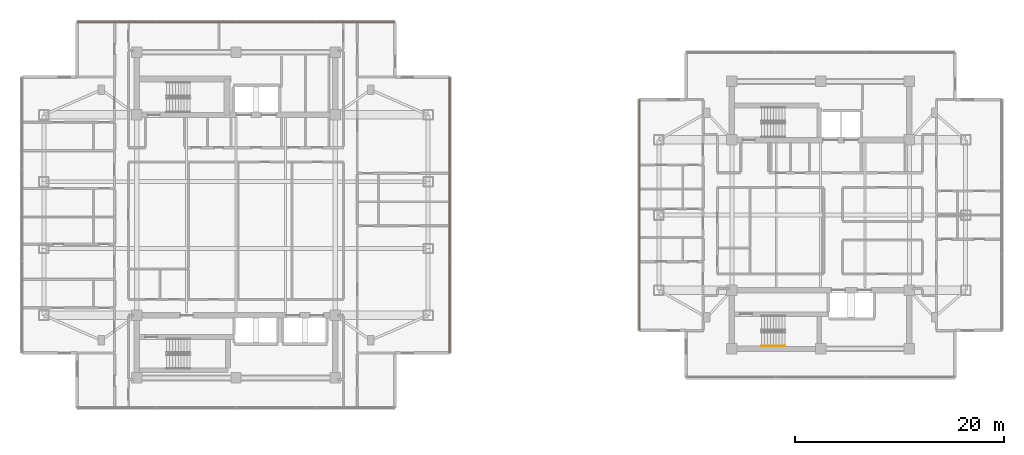
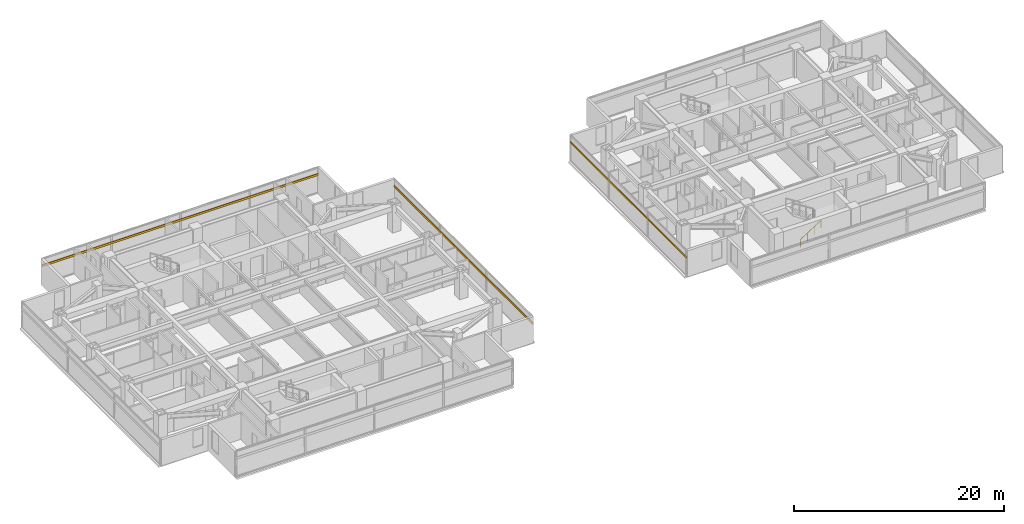
# One storey, part 21 of 24: 3 shading devices, 1 railing.
"""IFC4 building model written with IfcOpenShell, lengths in metres."""

from ifc_helpers import new_model, si_unit, direction, frame, origin, origin_2d, place, context, subcontext, project, spatial, rectangle, circle, extrude, material, material_profile, profile_set, type_object, element, save


model = new_model("IFC4")

# Units and contexts
model_context = context("Model", 3, precision=1e-05, world=origin(), true_north=direction((0.0, 1.0)))
body_context = subcontext(model_context, "Body", "Model", "MODEL_VIEW")
ifc_project = project(units=[si_unit("LENGTHUNIT", "METRE"), si_unit("AREAUNIT", "SQUARE_METRE"), si_unit("VOLUMEUNIT", "CUBIC_METRE"), si_unit("PLANEANGLEUNIT", "RADIAN"), si_unit("MASSUNIT", "GRAM", prefix="KILO")], contexts=[model_context])

# Site, building, storey
site_placement = place(None, origin())
site = spatial("IfcSite", under=ifc_project, at=site_placement, CompositionType="ELEMENT")
building_placement = place(site_placement, origin())
building = spatial("IfcBuilding", under=site, at=building_placement, Name="Mirazonda Arch Towers", CompositionType="ELEMENT")
storey_placement = place(building_placement, frame((0.0, 0.0, 164.14990234375)))
storey = spatial("IfcBuildingStorey", under=building, at=storey_placement, Name="L46", CompositionType="ELEMENT", Elevation=164.14990234375)

# Shading devices
ifc_material_1 = material(Name="Kiln-Fired Architectural Terracotta", Category="masonry")
ifc_material_profile_1 = material_profile(ifc_material_1, rectangle(XDim=0.1201171875, YDim=0.239990234375, at=origin_2d()), Name="TERRA-BAG-120x240")
ifc_profile_set_1 = profile_set([ifc_material_profile_1], Name="Kiln-Fired Architectural Terracotta")
shading_device_type_1 = type_object("IfcShadingDeviceType", Name="BAGUETTE-1", PredefinedType="USERDEFINED", material=ifc_profile_set_1)
shading_device_1_placement = place(storey_placement, frame((40.969970703125, 14.781005859375, 2.181640625), z_axis=(0.0, 1.0, 0.0), x_axis=(-1.0, 0.0, 0.0)))
element("IfcShadingDevice", 1, at=shading_device_1_placement, inside=storey, type_object=shading_device_type_1, Name="L46 Glazed Terracotta Sun-Screen Baguette CW-L46-T1-E", ObjectType="BAGUETTE", PredefinedType="USERDEFINED", context=body_context, shape_type="SweptSolid", body=[
    extrude(rectangle(XDim=0.1201171875, YDim=0.239990234375, at=origin_2d()), origin(), (0.0, 0.0, 1.0), 26.43798828125),
])
shading_device_2_placement = place(storey_placement, frame((5.27490234375, 46.464111328125, 2.181640625), z_axis=(1.0, 0.0, 0.0), x_axis=(0.0, 1.0, 0.0)))
element("IfcShadingDevice", 2, at=shading_device_2_placement, inside=storey, type_object=shading_device_type_1, Name="L46 Glazed Terracotta Sun-Screen Baguette CW-L46-T1-N", ObjectType="BAGUETTE", PredefinedType="USERDEFINED", context=body_context, shape_type="SweptSolid", body=[
    extrude(rectangle(XDim=0.1201171875, YDim=0.239990234375, at=origin_2d()), origin(), (0.0, 0.0, 1.0), 30.4501953125),
])
ifc_material_profile_2 = material_profile(ifc_material_1, rectangle(XDim=0.10009765625, YDim=0.199951171875, at=origin_2d()), Name="TERRA-BAG-100x200")
ifc_profile_set_2 = profile_set([ifc_material_profile_2], Name="Kiln-Fired Architectural Terracotta")
shading_device_type_2 = type_object("IfcShadingDeviceType", Name="BAGUETTE-2", PredefinedType="USERDEFINED", material=ifc_profile_set_2)
shading_device_3_placement = place(storey_placement, frame((59.153564453125, 39.076171875, 2.181640625), z_axis=(0.0, -1.0, 0.0), x_axis=(1.0, 0.0, 0.0)))
element("IfcShadingDevice", 3, at=shading_device_3_placement, inside=storey, type_object=shading_device_type_2, Name="L46 Glazed Terracotta Sun-Screen Baguette CW-L46-T2-W", ObjectType="BAGUETTE", PredefinedType="USERDEFINED", context=body_context, shape_type="SweptSolid", body=[
    extrude(rectangle(XDim=0.10009765625, YDim=0.199951171875, at=origin_2d()), origin(), (0.0, 0.0, 1.0), 22.15234375),
])

# Railing
ifc_material_2 = material(Name="Architectural Brushed Steel S355", Category="steel")
railing_type = type_object("IfcRailingType", Name="HANDRAIL-915", PredefinedType="HANDRAIL", material=ifc_material_2)
railing_placement = place(storey_placement, frame((70.85009765625, 15.469970703125, 0.1806640625)))
element("IfcRailing", 4, at=railing_placement, inside=storey, type_object=railing_type, Name="L46 ST-T2S stair handrail 1", PredefinedType="HANDRAIL", context=body_context, shape_type="SweptSolid", body=[
    extrude(circle(Radius=0.02392578125, at=origin_2d()), frame((0.0, 0.0, 0.8759765625), z_axis=(0.840436612492, 0.0, 0.541909863706), x_axis=(0.0, 1.0, 0.0)), (0.0, 0.0, 1.0), 2.665283203125),
    extrude(circle(Radius=0.02099609375, at=origin_2d()), origin(), (0.0, 0.0, 1.0), 0.851806640625),
    extrude(circle(Radius=0.02099609375, at=origin_2d()), frame((0.74658203125, 0.0, 0.4814453125)), (0.0, 0.0, 1.0), 0.851806640625),
    extrude(circle(Radius=0.02099609375, at=origin_2d()), frame((1.493408203125, 0.0, 0.962890625)), (0.0, 0.0, 1.0), 0.851806640625),
    extrude(circle(Radius=0.02099609375, at=origin_2d()), frame((2.239990234375, 0.0, 1.4443359375)), (0.0, 0.0, 1.0), 0.851806640625),
])

save(model, "model.ifc")
